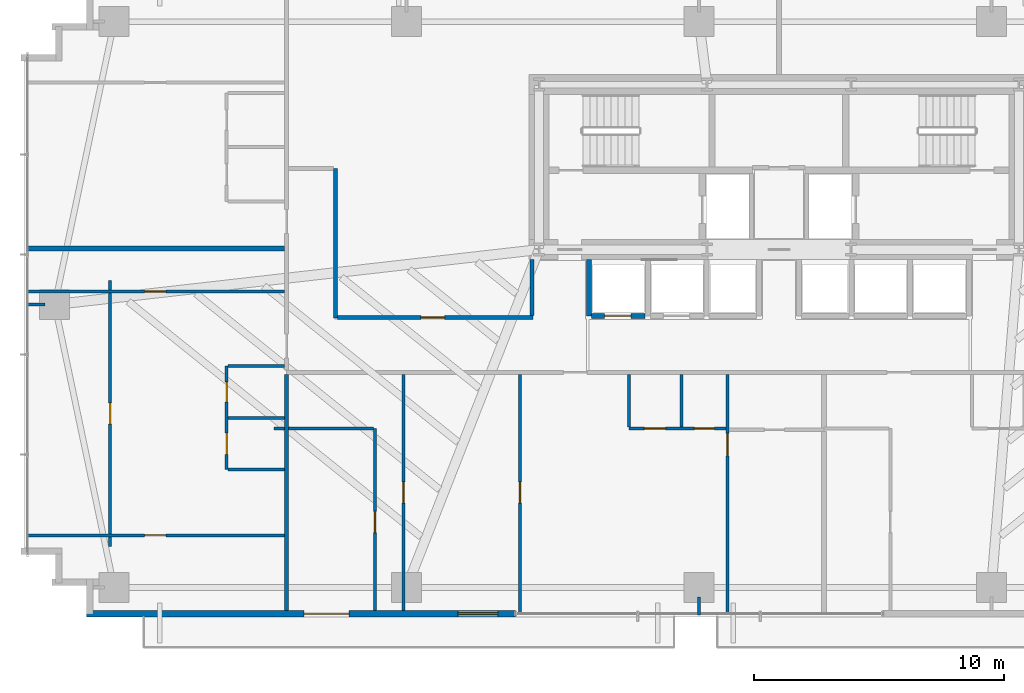
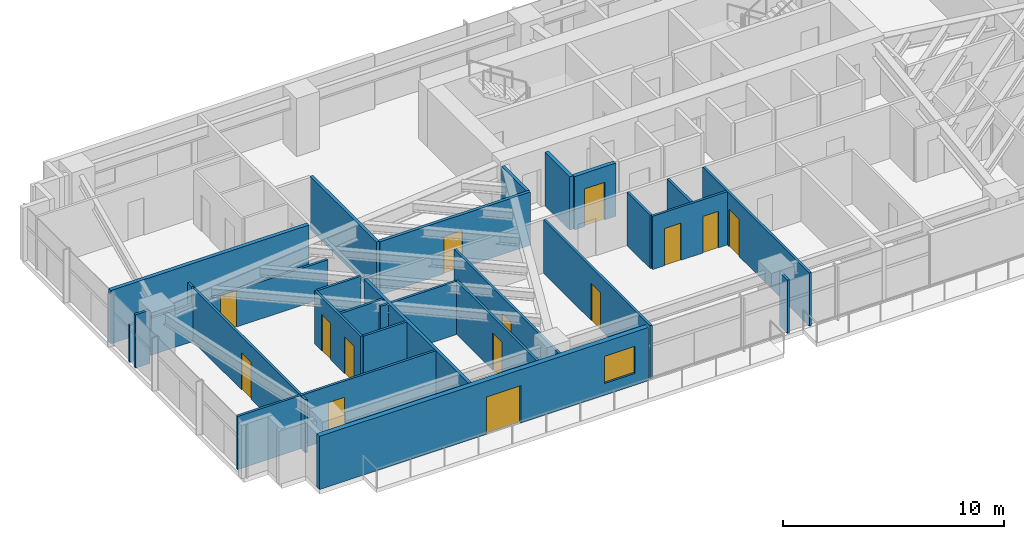
# One storey, part 19 of 25: 28 walls, 14 doors, 1 window, 15 openings.
"""IFC4 building model written with IfcOpenShell, lengths in metres."""

from ifc_helpers import new_model, si_unit, direction, frame, frame_2d, origin, place, context, subcontext, project, spatial, rectangle, extrude, source, transform, mapped, material, layer, layer_set, type_object, type_shapes, element, fill, save


model = new_model("IFC4")

# Units and contexts
model_context = context("Model", 3, precision=1e-05, world=origin(), true_north=direction((0.0, 1.0)))
body_context = subcontext(model_context, "Body", "Model", "MODEL_VIEW")
ifc_project = project(units=[si_unit("LENGTHUNIT", "METRE"), si_unit("AREAUNIT", "SQUARE_METRE"), si_unit("VOLUMEUNIT", "CUBIC_METRE"), si_unit("PLANEANGLEUNIT", "RADIAN"), si_unit("MASSUNIT", "GRAM", prefix="KILO")], contexts=[model_context])

# Site, building, storey
site_placement = place(None, origin())
site = spatial("IfcSite", under=ifc_project, at=site_placement, CompositionType="ELEMENT")
building_placement = place(site_placement, origin())
building = spatial("IfcBuilding", under=site, at=building_placement, Name="Astriad Promenade Condominiums", CompositionType="ELEMENT")
storey_placement = place(building_placement, frame((0.0, 0.0, 39.0)))
storey = spatial("IfcBuildingStorey", under=building, at=storey_placement, Name="L10", CompositionType="ELEMENT", Elevation=39.0)

# Walls
ifc_material_1 = material(Name="Fire-Rated Gypsum Partition")
ifc_layer_1 = layer(ifc_material_1, 0.159912109375)
ifc_layer_set_1 = layer_set([ifc_layer_1], Name="Fire-Rated Gypsum Partition")
wall_type_1 = type_object("IfcWallType", Name="WALL-CORR-160", PredefinedType="PARTITIONING", material=ifc_layer_set_1)
wall_1_placement = place(storey_placement, frame((16.300048828125, 2.9619140625, 0.0), z_axis=(0.0, 0.0, 1.0), x_axis=(0.0, 1.0, 0.0)))
element("IfcWall", 1, at=wall_1_placement, inside=storey, type_object=wall_type_1, Name="PT-COR-W-L10", PredefinedType="PARTITIONING", context=body_context, shape_type="SweptSolid", body=[
    extrude(rectangle(XDim=9.446044921875, YDim=0.159912109375, at=frame_2d((4.72314453125, 0.0))), origin(), (0.0, 0.0, 1.0), 2.93994140625),
])
wall_2_placement = place(storey_placement, frame((18.25, 14.659912109375, 0.0), z_axis=(0.0, 0.0, 1.0), x_axis=(0.0, 1.0, 0.0)))
element("IfcWall", 2, at=wall_2_placement, inside=storey, type_object=wall_type_1, Name="PT-WALC-E-L10", PredefinedType="PARTITIONING", context=body_context, shape_type="SweptSolid", body=[
    extrude(rectangle(XDim=5.989990234375, YDim=0.159912109375, at=frame_2d((2.9951171875, 0.0))), origin(), (0.0, 0.0, 1.0), 2.93994140625),
])

# Wall, opening, door
wall_3_placement = place(storey_placement, frame((18.33203125, 14.679931640625, 0.0), z_axis=(0.0, 0.0, 1.0), x_axis=(1.0, 0.0, 0.0)))
wall_3 = element("IfcWall", 3, at=wall_3_placement, inside=storey, type_object=wall_type_1, Name="PT-FLK-NW-L10", PredefinedType="PARTITIONING", context=body_context, shape_type="SweptSolid", body=[
    extrude(rectangle(XDim=7.827880859375, YDim=0.159912109375, at=frame_2d((3.9140625, 0.0))), origin(), (0.0, 0.0, 1.0), 2.93994140625),
])
opening_1_placement = place(wall_3_placement, frame((3.337890625, 0.0, 0.0)))
opening_1 = element("IfcOpeningElement", 4, at=opening_1_placement, cuts=wall_3, Name="Opening FD60-APT-095", PredefinedType="OPENING", context=body_context, shape_type="SweptSolid", body=[
    extrude(rectangle(XDim=0.949951171875, YDim=2.06005859375, at=frame_2d((0.47509765625, 1.030029296875))), frame((0.0, 0.08984375, 0.0), z_axis=(0.0, -1.0, 0.0), x_axis=(1.0, 0.0, 0.0)), (0.0, 0.0, 1.0), 0.179931640625),
])
ifc_material_2 = material(Name="Solid-Core Acoustic Timber Residence Entry Door", Category="wood")
door_type_1 = type_object("IfcDoorType", Name="FD60-APT-095", OperationType="NOTDEFINED", PredefinedType="DOOR", material=ifc_material_2)
shared_shape_1 = source(origin(), body_context, "Body", "SweptSolid", [
    extrude(rectangle(XDim=0.949951171875, YDim=2.06005859375, at=frame_2d((0.47509765625, 1.030029296875))), frame((0.0, 0.02490234375, 0.0), z_axis=(0.0, -1.0, 0.0), x_axis=(1.0, 0.0, 0.0)), (0.0, 0.0, 1.0), 0.050048828125),
])
type_shapes(door_type_1, [shared_shape_1])
door_1_placement = place(opening_1_placement, origin())
door_1 = element("IfcDoor", 5, at=door_1_placement, inside=storey, type_object=door_type_1, Name="D-NWA-L10", OperationType="SINGLE_SWING_RIGHT", OverallHeight=2.06005859375, OverallWidth=0.949951171875, PredefinedType="DOOR", context=body_context, shape_type="MappedRepresentation", body=[
    mapped(shared_shape_1, transform((0.0, 0.0, 0.0), scale=1.0)),
])
fill(opening_1, door_1)

# Walls
wall_4_placement = place(storey_placement, frame((26.1201171875, 14.761962890625, 0.0), z_axis=(0.0, 0.0, 1.0), x_axis=(0.0, 1.0, 0.0)))
element("IfcWall", 6, at=wall_4_placement, inside=storey, type_object=wall_type_1, Name="PT-WSPUR-W-L10", PredefinedType="PARTITIONING", context=body_context, shape_type="SweptSolid", body=[
    extrude(rectangle(XDim=2.236083984375, YDim=0.159912109375, at=frame_2d((1.1181640625, 0.0))), origin(), (0.0, 0.0, 1.0), 2.93994140625),
])
ifc_material_3 = material(Name="Acoustic Double-Stud Gypsum Partition")
ifc_layer_2 = layer(ifc_material_3, 0.199951171875)
ifc_layer_set_2 = layer_set([ifc_layer_2], Name="Acoustic Double-Stud Gypsum Partition")
wall_type_2 = type_object("IfcWallType", Name="WALL-DEMISING-200", PredefinedType="PARTITIONING", material=ifc_layer_set_2)
wall_5_placement = place(storey_placement, frame((5.8798828125, 17.449951171875, 0.0), z_axis=(0.0, 0.0, 1.0), x_axis=(1.0, 0.0, 0.0)))
element("IfcWall", 7, at=wall_5_placement, inside=storey, type_object=wall_type_2, Name="PT-DEM-WW-L10", PredefinedType="PARTITIONING", context=body_context, shape_type="SweptSolid", body=[
    extrude(rectangle(XDim=10.338134765625, YDim=0.199951171875, at=frame_2d((5.1689453125, 0.0))), origin(), (0.0, 0.0, 1.0), 2.93994140625),
])

# Wall, openings, door, window
ifc_material_4 = material(Name="Precast concrete C50/60", Category="concrete")
ifc_layer_3 = layer(ifc_material_4, 0.260009765625)
ifc_layer_set_3 = layer_set([ifc_layer_3], Name="Precast concrete C50/60")
wall_type_3 = type_object("IfcWallType", Name="WALL-EXT-TWR-260", PredefinedType="STANDARD", material=ifc_layer_set_3)
wall_6_placement = place(storey_placement, frame((25.449951171875, 2.830078125, 0.0), z_axis=(0.0, 0.0, 1.0), x_axis=(-1.0, 0.0, 0.0)))
wall_6 = element("IfcWall", 8, at=wall_6_placement, inside=storey, type_object=wall_type_3, Name="W-EXT-L10-S2", PredefinedType="STANDARD", context=body_context, shape_type="SweptSolid", body=[
    extrude(rectangle(XDim=17.14990234375, YDim=0.260009765625, at=frame_2d((8.574951171875, 0.0))), origin(), (0.0, 0.0, 1.0), 2.93994140625),
])
opening_2_placement = place(wall_6_placement, frame((6.64990234375, 0.0, 0.0)))
opening_2 = element("IfcOpeningElement", 9, at=opening_2_placement, cuts=wall_6, Name="Opening BD-1822-SLD", PredefinedType="OPENING", context=body_context, shape_type="SweptSolid", body=[
    extrude(rectangle(XDim=1.800048828125, YDim=2.06005859375, at=frame_2d((0.89990234375, 1.030029296875))), frame((0.0, 0.139892578125, 0.0), z_axis=(0.0, -1.0, 0.0), x_axis=(1.0, 0.0, 0.0)), (0.0, 0.0, 1.0), 0.280029296875),
])
opening_3_placement = place(wall_6_placement, frame((0.699951171875, 0.0, 0.64990234375)))
opening_3 = element("IfcOpeningElement", 10, at=opening_3_placement, cuts=wall_6, Name="Opening WIN-TWR-1620", PredefinedType="OPENING", context=body_context, shape_type="SweptSolid", body=[
    extrude(rectangle(XDim=1.60009765625, YDim=1.5, at=frame_2d((0.800048828125, 0.75))), frame((0.0, 0.139892578125, 0.0), z_axis=(0.0, -1.0, 0.0), x_axis=(1.0, 0.0, 0.0)), (0.0, 0.0, 1.0), 0.280029296875),
])
ifc_material_5 = material(Name="Thermally Broken Aluminium Sliding Balcony Door", Category="aluminium")
door_type_2 = type_object("IfcDoorType", Name="BD-1822-SLD", OperationType="NOTDEFINED", PredefinedType="DOOR", material=ifc_material_5)
shared_shape_2 = source(origin(), body_context, "Body", "SweptSolid", [
    extrude(rectangle(XDim=1.800048828125, YDim=2.06005859375, at=frame_2d((0.89990234375, 1.030029296875))), frame((0.0, 0.02490234375, 0.0), z_axis=(0.0, -1.0, 0.0), x_axis=(1.0, 0.0, 0.0)), (0.0, 0.0, 1.0), 0.050048828125),
])
type_shapes(door_type_2, [shared_shape_2])
door_2_placement = place(opening_2_placement, origin())
door_2 = element("IfcDoor", 11, at=door_2_placement, inside=storey, type_object=door_type_2, Name="BD-L10-SW", OperationType="SLIDING_TO_LEFT", OverallHeight=2.06005859375, OverallWidth=1.800048828125, PredefinedType="DOOR", context=body_context, shape_type="MappedRepresentation", body=[
    mapped(shared_shape_2, transform((0.0, 0.0, 0.0), scale=1.0)),
])
fill(opening_2, door_2)
ifc_material_6 = material(Name="Dark Tinted Triple-Glazed Aluminium Window", Category="aluminium")
window_type = type_object("IfcWindowType", Name="WIN-TWR-1620", PartitioningType="SINGLE_PANEL", PredefinedType="WINDOW", material=ifc_material_6)
shared_shape_3 = source(origin(), body_context, "Body", "SweptSolid", [
    extrude(rectangle(XDim=1.60009765625, YDim=1.5, at=frame_2d((0.800048828125, 0.75))), frame((0.0, 0.030029296875, 0.0), z_axis=(0.0, -1.0, 0.0), x_axis=(1.0, 0.0, 0.0)), (0.0, 0.0, 1.0), 0.06005859375),
])
type_shapes(window_type, [shared_shape_3])
window_placement = place(opening_3_placement, origin())
window = element("IfcWindow", 12, at=window_placement, inside=storey, type_object=window_type, Name="WIN-L10-SW", OverallHeight=1.5, OverallWidth=1.60009765625, PartitioningType="SINGLE_PANEL", PredefinedType="WINDOW", context=body_context, shape_type="MappedRepresentation", body=[
    mapped(shared_shape_3, transform((0.0, 0.0, 0.0), scale=1.0)),
])
fill(opening_3, window)

# Wall, opening, door
ifc_material_7 = material(Name="Acoustic Metal-Stud Gypsum Partition")
ifc_layer_4 = layer(ifc_material_7, 0.1201171875)
ifc_layer_set_4 = layer_set([ifc_layer_4], Name="Acoustic Metal-Stud Gypsum Partition")
wall_type_4 = type_object("IfcWallType", Name="WALL-PART-120", PredefinedType="PARTITIONING", material=ifc_layer_set_4)
wall_7_placement = place(storey_placement, frame((33.944091796875, 2.780029296875, 0.0), z_axis=(0.0, 0.0, 1.0), x_axis=(0.0, 1.0, 0.0)))
wall_7 = element("IfcWall", 13, at=wall_7_placement, inside=storey, type_object=wall_type_4, Name="PT-L10-S1-BD1", PredefinedType="PARTITIONING", context=body_context, shape_type="SweptSolid", body=[
    extrude(rectangle(XDim=9.6279296875, YDim=0.1201171875, at=frame_2d((4.81396484375, 0.0))), origin(), (0.0, 0.0, 1.0), 2.93994140625),
])
opening_4_placement = place(wall_7_placement, frame((6.360107421875, 0.0, 0.0)))
opening_4 = element("IfcOpeningElement", 14, at=opening_4_placement, cuts=wall_7, Name="Opening D-INT-090", PredefinedType="OPENING", context=body_context, shape_type="SweptSolid", body=[
    extrude(rectangle(XDim=0.89990234375, YDim=2.050048828125, at=frame_2d((0.449951171875, 1.02490234375))), frame((0.0, 0.070068359375, 0.0), z_axis=(0.0, -1.0, 0.0), x_axis=(1.0, 0.0, 0.0)), (0.0, 0.0, 1.0), 0.14013671875),
])
ifc_material_8 = material(Name="Painted Solid-Core Timber Bedroom Door", Category="wood")
door_type_3 = type_object("IfcDoorType", Name="D-INT-090", OperationType="NOTDEFINED", PredefinedType="DOOR", material=ifc_material_8)
shared_shape_4 = source(origin(), body_context, "Body", "SweptSolid", [
    extrude(rectangle(XDim=0.89990234375, YDim=2.050048828125, at=frame_2d((0.449951171875, 1.02490234375))), frame((0.0, 0.02490234375, 0.0), z_axis=(0.0, -1.0, 0.0), x_axis=(1.0, 0.0, 0.0)), (0.0, 0.0, 1.0), 0.050048828125),
])
type_shapes(door_type_3, [shared_shape_4])
door_3_placement = place(opening_4_placement, origin())
door_3 = element("IfcDoor", 15, at=door_3_placement, inside=storey, type_object=door_type_3, Name="D-BD1-L10-S1", OperationType="SINGLE_SWING_LEFT", OverallHeight=2.050048828125, OverallWidth=0.89990234375, PredefinedType="DOOR", context=body_context, shape_type="MappedRepresentation", body=[
    mapped(shared_shape_4, transform((0.0, 0.0, 0.0), scale=1.0)),
])
fill(opening_4, door_3)

# Wall, openings, doors
wall_8_placement = place(storey_placement, frame((29.993896484375, 10.239990234375, 0.0), z_axis=(0.0, 0.0, 1.0), x_axis=(1.0, 0.0, 0.0)))
wall_8 = element("IfcWall", 16, at=wall_8_placement, inside=storey, type_object=wall_type_4, Name="PT-L10-S1-PS", PredefinedType="PARTITIONING", context=body_context, shape_type="SweptSolid", body=[
    extrude(rectangle(XDim=3.88818359375, YDim=0.1201171875, at=frame_2d((1.944091796875, 0.0))), origin(), (0.0, 0.0, 1.0), 2.93994140625),
])
opening_5_placement = place(wall_8_placement, frame((0.625, 0.0, 0.0)))
opening_5 = element("IfcOpeningElement", 17, at=opening_5_placement, cuts=wall_8, Name="Opening D-INT-085", PredefinedType="OPENING", context=body_context, shape_type="SweptSolid", body=[
    extrude(rectangle(XDim=0.85009765625, YDim=2.050048828125, at=frame_2d((0.425048828125, 1.02490234375))), frame((0.0, 0.070068359375, 0.0), z_axis=(0.0, -1.0, 0.0), x_axis=(1.0, 0.0, 0.0)), (0.0, 0.0, 1.0), 0.14013671875),
])
opening_6_placement = place(wall_8_placement, frame((2.625, 0.0, 0.0)))
opening_6 = element("IfcOpeningElement", 18, at=opening_6_placement, cuts=wall_8, Name="Opening D-WET-080", PredefinedType="OPENING", context=body_context, shape_type="SweptSolid", body=[
    extrude(rectangle(XDim=0.800048828125, YDim=2.02001953125, at=frame_2d((0.39990234375, 1.010009765625))), frame((0.0, 0.070068359375, 0.0), z_axis=(0.0, -1.0, 0.0), x_axis=(1.0, 0.0, 0.0)), (0.0, 0.0, 1.0), 0.14013671875),
])
ifc_material_9 = material(Name="Moisture-Resistant Timber Bathroom Door", Category="wood")
door_type_4 = type_object("IfcDoorType", Name="D-WET-080", OperationType="NOTDEFINED", PredefinedType="DOOR", material=ifc_material_9)
shared_shape_5 = source(origin(), body_context, "Body", "SweptSolid", [
    extrude(rectangle(XDim=0.800048828125, YDim=2.02001953125, at=frame_2d((0.39990234375, 1.010009765625))), frame((0.0, 0.02490234375, 0.0), z_axis=(0.0, -1.0, 0.0), x_axis=(1.0, 0.0, 0.0)), (0.0, 0.0, 1.0), 0.050048828125),
])
type_shapes(door_type_4, [shared_shape_5])
door_4_placement = place(opening_6_placement, origin())
door_4 = element("IfcDoor", 19, at=door_4_placement, inside=storey, type_object=door_type_4, Name="D-BTH-L10-S1", OperationType="SINGLE_SWING_LEFT", OverallHeight=2.02001953125, OverallWidth=0.800048828125, PredefinedType="DOOR", context=body_context, shape_type="MappedRepresentation", body=[
    mapped(shared_shape_5, transform((0.0, 0.0, 0.0), scale=1.0)),
])
fill(opening_6, door_4)
ifc_material_10 = material(Name="Painted Solid-Core Timber Room Door", Category="wood")
door_type_5 = type_object("IfcDoorType", Name="D-INT-085", OperationType="NOTDEFINED", PredefinedType="DOOR", material=ifc_material_10)
shared_shape_6 = source(origin(), body_context, "Body", "SweptSolid", [
    extrude(rectangle(XDim=0.85009765625, YDim=2.050048828125, at=frame_2d((0.425048828125, 1.02490234375))), frame((0.0, 0.02490234375, 0.0), z_axis=(0.0, -1.0, 0.0), x_axis=(1.0, 0.0, 0.0)), (0.0, 0.0, 1.0), 0.050048828125),
])
type_shapes(door_type_5, [shared_shape_6])
door_5_placement = place(opening_5_placement, origin())
door_5 = element("IfcDoor", 20, at=door_5_placement, inside=storey, type_object=door_type_5, Name="D-KIT-L10-S1", OperationType="SINGLE_SWING_RIGHT", OverallHeight=2.050048828125, OverallWidth=0.85009765625, PredefinedType="DOOR", context=body_context, shape_type="MappedRepresentation", body=[
    mapped(shared_shape_6, transform((0.0, 0.0, 0.0), scale=1.0)),
])
fill(opening_5, door_5)

# Walls
for number, where, z_axis, x_axis, name in (
    (21, (32.093994140625, 10.302001953125, 0.0), (0.0, 0.0, 1.0), (0.0, 1.0, 0.0), "PT-L10-S1-PBK"),
    (22, (29.993896484375, 10.302001953125, 0.0), (0.0, 0.0, 1.0), (0.0, 1.0, 0.0), "PT-L10-S1-PKW"),
):
    element("IfcWall", number, at=place(storey_placement, frame(where, z_axis=z_axis, x_axis=x_axis)), inside=storey, type_object=wall_type_4, Name=name, PredefinedType="PARTITIONING", context=body_context, shape_type="SweptSolid", body=[
        extrude(rectangle(XDim=2.10595703125, YDim=0.1201171875, at=frame_2d((1.052978515625, 0.0))), origin(), (0.0, 0.0, 1.0), 2.93994140625),
    ])

# Wall, opening, door
wall_9_placement = place(storey_placement, frame((19.830078125, 2.9619140625, 0.0), z_axis=(0.0, 0.0, 1.0), x_axis=(0.0, 1.0, 0.0)))
wall_9 = element("IfcWall", 23, at=wall_9_placement, inside=storey, type_object=wall_type_4, Name="PT-L10-S1-EXV", PredefinedType="PARTITIONING", context=body_context, shape_type="SweptSolid", body=[
    extrude(rectangle(XDim=7.278076171875, YDim=0.1201171875, at=frame_2d((3.63916015625, 0.0))), origin(), (0.0, 0.0, 1.0), 2.93994140625),
])
opening_7_placement = place(wall_9_placement, frame((3.113037109375, 0.0, 0.0)))
opening_7 = element("IfcOpeningElement", 24, at=opening_7_placement, cuts=wall_9, Name="Opening D-INT-085", PredefinedType="OPENING", context=body_context, shape_type="SweptSolid", body=[
    extrude(rectangle(XDim=0.85009765625, YDim=2.050048828125, at=frame_2d((0.425048828125, 1.02490234375))), frame((0.0, 0.070068359375, 0.0), z_axis=(0.0, -1.0, 0.0), x_axis=(1.0, 0.0, 0.0)), (0.0, 0.0, 1.0), 0.14013671875),
])
door_6_placement = place(opening_7_placement, origin())
door_6 = element("IfcDoor", 25, at=door_6_placement, inside=storey, type_object=door_type_5, Name="D-EX-L10-S1", OperationType="SINGLE_SWING_LEFT", OverallHeight=2.050048828125, OverallWidth=0.85009765625, PredefinedType="DOOR", context=body_context, shape_type="MappedRepresentation", body=[
    mapped(shared_shape_6, transform((0.0, 0.0, 0.0), scale=1.0)),
])
fill(opening_7, door_6)

# Walls
wall_10_placement = place(storey_placement, frame((15.800048828125, 10.239990234375, 0.0), z_axis=(0.0, 0.0, 1.0), x_axis=(1.0, 0.0, 0.0)))
element("IfcWall", 26, at=wall_10_placement, inside=storey, type_object=wall_type_4, Name="PT-L10-S1-EXH", PredefinedType="PARTITIONING", context=body_context, shape_type="SweptSolid", body=[
    extrude(rectangle(XDim=0.41796875, YDim=0.1201171875, at=frame_2d((0.208984375, 0.0))), origin(), (0.0, 0.0, 1.0), 2.93994140625),
])
wall_11_placement = place(storey_placement, frame((16.382080078125, 10.239990234375, 0.0), z_axis=(0.0, 0.0, 1.0), x_axis=(1.0, 0.0, 0.0)))
element("IfcWall", 27, at=wall_11_placement, inside=storey, type_object=wall_type_4, Name="PT-L10-S1-EXH-S2", PredefinedType="PARTITIONING", context=body_context, shape_type="SweptSolid", body=[
    extrude(rectangle(XDim=3.385986328125, YDim=0.1201171875, at=frame_2d((1.69287109375, 0.0))), origin(), (0.0, 0.0, 1.0), 2.93994140625),
])

# Wall, opening, door
wall_12_placement = place(storey_placement, frame((20.97998046875, 2.9619140625, 0.0), z_axis=(0.0, 0.0, 1.0), x_axis=(0.0, 1.0, 0.0)))
wall_12 = element("IfcWall", 28, at=wall_12_placement, inside=storey, type_object=wall_type_4, Name="PT-L10-S1-CAP1", PredefinedType="PARTITIONING", context=body_context, shape_type="SweptSolid", body=[
    extrude(rectangle(XDim=9.446044921875, YDim=0.1201171875, at=frame_2d((4.72314453125, 0.0))), origin(), (0.0, 0.0, 1.0), 2.93994140625),
])
opening_8_placement = place(wall_12_placement, frame((4.2880859375, 0.0, 0.0)))
opening_8 = element("IfcOpeningElement", 29, at=opening_8_placement, cuts=wall_12, Name="Opening D-INT-085", PredefinedType="OPENING", context=body_context, shape_type="SweptSolid", body=[
    extrude(rectangle(XDim=0.85009765625, YDim=2.050048828125, at=frame_2d((0.425048828125, 1.02490234375))), frame((0.0, 0.070068359375, 0.0), z_axis=(0.0, -1.0, 0.0), x_axis=(1.0, 0.0, 0.0)), (0.0, 0.0, 1.0), 0.14013671875),
])
door_7_placement = place(opening_8_placement, origin())
door_7 = element("IfcDoor", 30, at=door_7_placement, inside=storey, type_object=door_type_5, Name="D-CAP1-L10-S1", OperationType="SINGLE_SWING_RIGHT", OverallHeight=2.050048828125, OverallWidth=0.85009765625, PredefinedType="DOOR", context=body_context, shape_type="MappedRepresentation", body=[
    mapped(shared_shape_6, transform((0.0, 0.0, 0.0), scale=1.0)),
])
fill(opening_8, door_7)

wall_13_placement = place(storey_placement, frame((25.639892578125, 2.780029296875, 0.0), z_axis=(0.0, 0.0, 1.0), x_axis=(0.0, 1.0, 0.0)))
wall_13 = element("IfcWall", 31, at=wall_13_placement, inside=storey, type_object=wall_type_4, Name="PT-L10-S1-CAP2", PredefinedType="PARTITIONING", context=body_context, shape_type="SweptSolid", body=[
    extrude(rectangle(XDim=9.6279296875, YDim=0.1201171875, at=frame_2d((4.81396484375, 0.0))), origin(), (0.0, 0.0, 1.0), 2.93994140625),
])
opening_9_placement = place(wall_13_placement, frame((4.469970703125, 0.0, 0.0)))
opening_9 = element("IfcOpeningElement", 32, at=opening_9_placement, cuts=wall_13, Name="Opening D-INT-085", PredefinedType="OPENING", context=body_context, shape_type="SweptSolid", body=[
    extrude(rectangle(XDim=0.85009765625, YDim=2.050048828125, at=frame_2d((0.425048828125, 1.02490234375))), frame((0.0, 0.070068359375, 0.0), z_axis=(0.0, -1.0, 0.0), x_axis=(1.0, 0.0, 0.0)), (0.0, 0.0, 1.0), 0.14013671875),
])
door_8_placement = place(opening_9_placement, origin())
door_8 = element("IfcDoor", 33, at=door_8_placement, inside=storey, type_object=door_type_5, Name="D-CAP2-L10-S1", OperationType="SINGLE_SWING_LEFT", OverallHeight=2.050048828125, OverallWidth=0.85009765625, PredefinedType="DOOR", context=body_context, shape_type="MappedRepresentation", body=[
    mapped(shared_shape_6, transform((0.0, 0.0, 0.0), scale=1.0)),
])
fill(opening_9, door_8)

# Wall, openings, doors
wall_14_placement = place(storey_placement, frame((13.89990234375, 8.590087890625, 0.0), z_axis=(0.0, 0.0, 1.0), x_axis=(0.0, 1.0, 0.0)))
wall_14 = element("IfcWall", 34, at=wall_14_placement, inside=storey, type_object=wall_type_4, Name="PT-L10-W1-PV", PredefinedType="PARTITIONING", context=body_context, shape_type="SweptSolid", body=[
    extrude(rectangle(XDim=4.14990234375, YDim=0.1201171875, at=frame_2d((2.074951171875, 0.0))), origin(), (0.0, 0.0, 1.0), 2.93994140625),
])
opening_10_placement = place(wall_14_placement, frame((0.612060546875, 0.0, 0.0)))
opening_10 = element("IfcOpeningElement", 35, at=opening_10_placement, cuts=wall_14, Name="Opening D-INT-085", PredefinedType="OPENING", context=body_context, shape_type="SweptSolid", body=[
    extrude(rectangle(XDim=0.85009765625, YDim=2.050048828125, at=frame_2d((0.425048828125, 1.02490234375))), frame((0.0, 0.070068359375, 0.0), z_axis=(0.0, -1.0, 0.0), x_axis=(1.0, 0.0, 0.0)), (0.0, 0.0, 1.0), 0.14013671875),
])
opening_11_placement = place(wall_14_placement, frame((2.712890625, 0.0, 0.0)))
opening_11 = element("IfcOpeningElement", 36, at=opening_11_placement, cuts=wall_14, Name="Opening D-WET-080", PredefinedType="OPENING", context=body_context, shape_type="SweptSolid", body=[
    extrude(rectangle(XDim=0.800048828125, YDim=2.02001953125, at=frame_2d((0.39990234375, 1.010009765625))), frame((0.0, 0.070068359375, 0.0), z_axis=(0.0, -1.0, 0.0), x_axis=(1.0, 0.0, 0.0)), (0.0, 0.0, 1.0), 0.14013671875),
])
door_9_placement = place(opening_11_placement, origin())
door_9 = element("IfcDoor", 37, at=door_9_placement, inside=storey, type_object=door_type_4, Name="D-BTH-L10-W1", OperationType="SINGLE_SWING_RIGHT", OverallHeight=2.02001953125, OverallWidth=0.800048828125, PredefinedType="DOOR", context=body_context, shape_type="MappedRepresentation", body=[
    mapped(shared_shape_5, transform((0.0, 0.0, 0.0), scale=1.0)),
])
fill(opening_11, door_9)
door_10_placement = place(opening_10_placement, origin())
door_10 = element("IfcDoor", 38, at=door_10_placement, inside=storey, type_object=door_type_5, Name="D-KIT-L10-W1", OperationType="SINGLE_SWING_LEFT", OverallHeight=2.050048828125, OverallWidth=0.85009765625, PredefinedType="DOOR", context=body_context, shape_type="MappedRepresentation", body=[
    mapped(shared_shape_6, transform((0.0, 0.0, 0.0), scale=1.0)),
])
fill(opening_10, door_10)

# Walls
for number, where, z_axis, x_axis, name in (
    (39, (13.9619140625, 10.6650390625, 0.0), (0.0, 0.0, 1.0), (1.0, 0.0, 0.0), "PT-L10-W1-PM"),
    (40, (13.9619140625, 8.590087890625, 0.0), (0.0, 0.0, 1.0), (1.0, 0.0, 0.0), "PT-L10-W1-PS"),
    (41, (13.9619140625, 12.739990234375, 0.0), (0.0, 0.0, 1.0), (1.0, 0.0, 0.0), "PT-L10-W1-PN"),
):
    element("IfcWall", number, at=place(storey_placement, frame(where, z_axis=z_axis, x_axis=x_axis)), inside=storey, type_object=wall_type_4, Name=name, PredefinedType="PARTITIONING", context=body_context, shape_type="SweptSolid", body=[
        extrude(rectangle(XDim=2.256103515625, YDim=0.1201171875, at=frame_2d((1.1279296875, 0.0))), origin(), (0.0, 0.0, 1.0), 2.93994140625),
    ])

# Wall, opening, door
wall_15_placement = place(storey_placement, frame((5.8798828125, 5.966064453125, 0.0), z_axis=(0.0, 0.0, 1.0), x_axis=(1.0, 0.0, 0.0)))
wall_15 = element("IfcWall", 42, at=wall_15_placement, inside=storey, type_object=wall_type_4, Name="PT-L10-W1-WDS1", PredefinedType="PARTITIONING", context=body_context, shape_type="SweptSolid", body=[
    extrude(rectangle(XDim=10.338134765625, YDim=0.1201171875, at=frame_2d((5.1689453125, 0.0))), origin(), (0.0, 0.0, 1.0), 2.93994140625),
])
opening_12_placement = place(wall_15_placement, frame((4.735107421875, 0.0, 0.0)))
opening_12 = element("IfcOpeningElement", 43, at=opening_12_placement, cuts=wall_15, Name="Opening D-INT-085", PredefinedType="OPENING", context=body_context, shape_type="SweptSolid", body=[
    extrude(rectangle(XDim=0.85009765625, YDim=2.050048828125, at=frame_2d((0.425048828125, 1.02490234375))), frame((0.0, 0.070068359375, 0.0), z_axis=(0.0, -1.0, 0.0), x_axis=(1.0, 0.0, 0.0)), (0.0, 0.0, 1.0), 0.14013671875),
])
door_11_placement = place(opening_12_placement, origin())
door_11 = element("IfcDoor", 44, at=door_11_placement, inside=storey, type_object=door_type_5, Name="D-WDS1-L10-W1", OperationType="SINGLE_SWING_LEFT", OverallHeight=2.050048828125, OverallWidth=0.85009765625, PredefinedType="DOOR", context=body_context, shape_type="MappedRepresentation", body=[
    mapped(shared_shape_6, transform((0.0, 0.0, 0.0), scale=1.0)),
])
fill(opening_12, door_11)

wall_16_placement = place(storey_placement, frame((5.8798828125, 15.721923828125, 0.0), z_axis=(0.0, 0.0, 1.0), x_axis=(1.0, 0.0, 0.0)))
wall_16 = element("IfcWall", 45, at=wall_16_placement, inside=storey, type_object=wall_type_4, Name="PT-L10-W1-WDN2", PredefinedType="PARTITIONING", context=body_context, shape_type="SweptSolid", body=[
    extrude(rectangle(XDim=10.338134765625, YDim=0.1201171875, at=frame_2d((5.1689453125, 0.0))), origin(), (0.0, 0.0, 1.0), 2.044921875),
])
opening_13_placement = place(wall_16_placement, frame((4.735107421875, 0.0, 0.0)))
opening_13 = element("IfcOpeningElement", 46, at=opening_13_placement, cuts=wall_16, Name="Opening D-LOW-085", PredefinedType="OPENING", context=body_context, shape_type="SweptSolid", body=[
    extrude(rectangle(XDim=0.85009765625, YDim=2.010009765625, at=frame_2d((0.425048828125, 1.0048828125))), frame((0.0, 0.070068359375, 0.0), z_axis=(0.0, -1.0, 0.0), x_axis=(1.0, 0.0, 0.0)), (0.0, 0.0, 1.0), 0.14013671875),
])
ifc_material_11 = material(Name="Painted Timber Under-Girder Room Door", Category="wood")
door_type_6 = type_object("IfcDoorType", Name="D-LOW-085", OperationType="NOTDEFINED", PredefinedType="DOOR", material=ifc_material_11)
shared_shape_7 = source(origin(), body_context, "Body", "SweptSolid", [
    extrude(rectangle(XDim=0.85009765625, YDim=2.010009765625, at=frame_2d((0.425048828125, 1.0048828125))), frame((0.0, 0.02490234375, 0.0), z_axis=(0.0, -1.0, 0.0), x_axis=(1.0, 0.0, 0.0)), (0.0, 0.0, 1.0), 0.050048828125),
])
type_shapes(door_type_6, [shared_shape_7])
door_12_placement = place(opening_13_placement, origin())
door_12 = element("IfcDoor", 47, at=door_12_placement, inside=storey, type_object=door_type_6, Name="D-WDN2-L10-W1", OperationType="SINGLE_SWING_RIGHT", OverallHeight=2.010009765625, OverallWidth=0.85009765625, PredefinedType="DOOR", context=body_context, shape_type="MappedRepresentation", body=[
    mapped(shared_shape_7, transform((0.0, 0.0, 0.0), scale=1.0)),
])
fill(opening_13, door_12)

# Wall
wall_17_placement = place(storey_placement, frame((9.237060546875, 5.52587890625, 0.0), z_axis=(0.0, 0.0, 1.0), x_axis=(0.0, 1.0, 0.0)))
element("IfcWall", 48, at=wall_17_placement, inside=storey, type_object=wall_type_4, Name="PT-L10-W1-WDV3", PredefinedType="PARTITIONING", context=body_context, shape_type="SweptSolid", body=[
    extrude(rectangle(XDim=0.378173828125, YDim=0.1201171875, at=frame_2d((0.18896484375, 0.0))), origin(), (0.0, 0.0, 1.0), 2.93994140625),
])

# Wall, opening, door
wall_18_placement = place(storey_placement, frame((9.237060546875, 6.028076171875, 0.0), z_axis=(0.0, 0.0, 1.0), x_axis=(0.0, 1.0, 0.0)))
wall_18 = element("IfcWall", 49, at=wall_18_placement, inside=storey, type_object=wall_type_4, Name="PT-L10-W1-WDV3-S2", PredefinedType="PARTITIONING", context=body_context, shape_type="SweptSolid", body=[
    extrude(rectangle(XDim=9.6318359375, YDim=0.1201171875, at=frame_2d((4.81591796875, 0.0))), origin(), (0.0, 0.0, 1.0), 2.93994140625),
])
opening_14_placement = place(wall_18_placement, frame((4.39111328125, 0.0, 0.0)))
opening_14 = element("IfcOpeningElement", 50, at=opening_14_placement, cuts=wall_18, Name="Opening D-INT-085", PredefinedType="OPENING", context=body_context, shape_type="SweptSolid", body=[
    extrude(rectangle(XDim=0.85009765625, YDim=2.050048828125, at=frame_2d((0.425048828125, 1.02490234375))), frame((0.0, 0.070068359375, 0.0), z_axis=(0.0, -1.0, 0.0), x_axis=(1.0, 0.0, 0.0)), (0.0, 0.0, 1.0), 0.14013671875),
])
door_13_placement = place(opening_14_placement, origin())
door_13 = element("IfcDoor", 51, at=door_13_placement, inside=storey, type_object=door_type_5, Name="D-WDV3-L10-W1", OperationType="SINGLE_SWING_LEFT", OverallHeight=2.050048828125, OverallWidth=0.85009765625, PredefinedType="DOOR", context=body_context, shape_type="MappedRepresentation", body=[
    mapped(shared_shape_6, transform((0.0, 0.0, 0.0), scale=1.0)),
])
fill(opening_14, door_13)

# Walls
wall_19_placement = place(storey_placement, frame((9.237060546875, 15.783935546875, 0.0), z_axis=(0.0, 0.0, 1.0), x_axis=(0.0, 1.0, 0.0)))
element("IfcWall", 52, at=wall_19_placement, inside=storey, type_object=wall_type_4, Name="PT-L10-W1-WDV3-S3", PredefinedType="PARTITIONING", context=body_context, shape_type="SweptSolid", body=[
    extrude(rectangle(XDim=0.378173828125, YDim=0.1201171875, at=frame_2d((0.18896484375, 0.0))), origin(), (0.0, 0.0, 1.0), 2.93994140625),
])
wall_20_placement = place(storey_placement, frame((32.800048828125, 3.5, 0.0), z_axis=(0.0, 0.0, 1.0), x_axis=(0.0, -1.0, 0.0)))
element("IfcWall", 53, at=wall_20_placement, inside=storey, type_object=wall_type_4, Name="PT-PIL-L10-PC03-10", PredefinedType="PARTITIONING", context=body_context, shape_type="SweptSolid", body=[
    extrude(rectangle(XDim=0.719970703125, YDim=0.1201171875, at=frame_2d((0.35986328125, 0.0))), origin(), (0.0, 0.0, 1.0), 2.93994140625),
])
wall_21_placement = place(storey_placement, frame((6.639892578125, 15.199951171875, 0.0), z_axis=(0.0, 0.0, 1.0), x_axis=(-1.0, 0.0, 0.0)))
element("IfcWall", 54, at=wall_21_placement, inside=storey, type_object=wall_type_4, Name="PT-PIL-L10-PC11-18", PredefinedType="PARTITIONING", context=body_context, shape_type="SweptSolid", body=[
    extrude(rectangle(XDim=0.760009765625, YDim=0.1201171875, at=frame_2d((0.3798828125, 0.0))), origin(), (0.0, 0.0, 1.0), 2.93994140625),
])
ifc_material_12 = material(Name="Gypsum Shaftliner Assembly")
ifc_layer_5 = layer(ifc_material_12, 0.199951171875)
ifc_layer_set_5 = layer_set([ifc_layer_5], Name="Gypsum Shaftliner Assembly")
wall_type_5 = type_object("IfcWallType", Name="WALL-SHAFT-200", PredefinedType="PARTITIONING", material=ifc_layer_set_5)
wall_22_placement = place(storey_placement, frame((28.39990234375, 14.75, 0.0), z_axis=(0.0, 0.0, 1.0), x_axis=(0.0, 1.0, 0.0)))
element("IfcWall", 55, at=wall_22_placement, inside=storey, type_object=wall_type_5, Name="PL-W-OUT-L10", PredefinedType="PARTITIONING", context=body_context, shape_type="SweptSolid", body=[
    extrude(rectangle(XDim=2.248046875, YDim=0.199951171875, at=frame_2d((1.1240234375, 0.0))), origin(), (0.0, 0.0, 1.0), 2.93994140625),
])

# Wall, opening, door
wall_23_placement = place(storey_placement, frame((28.501953125, 14.75, 0.0), z_axis=(0.0, 0.0, 1.0), x_axis=(1.0, 0.0, 0.0)))
wall_23 = element("IfcWall", 56, at=wall_23_placement, inside=storey, type_object=wall_type_5, Name="PL-L-FRT-L10", PredefinedType="PARTITIONING", context=body_context, shape_type="SweptSolid", body=[
    extrude(rectangle(XDim=2.14599609375, YDim=0.199951171875, at=frame_2d((1.072998046875, 0.0))), origin(), (0.0, 0.0, 1.0), 2.93994140625),
])
opening_15_placement = place(wall_23_placement, frame((0.52294921875, 0.0, 0.0)))
opening_15 = element("IfcOpeningElement", 57, at=opening_15_placement, cuts=wall_23, Name="Opening LD-PL-10522", PredefinedType="OPENING", context=body_context, shape_type="SweptSolid", body=[
    extrude(rectangle(XDim=1.050048828125, YDim=2.080078125, at=frame_2d((0.52490234375, 1.0400390625))), frame((0.0, 0.10986328125, 0.0), z_axis=(0.0, -1.0, 0.0), x_axis=(1.0, 0.0, 0.0)), (0.0, 0.0, 1.0), 0.219970703125),
])
ifc_material_13 = material(Name="Brushed Bronze Passenger Elevator Landing Door")
door_type_7 = type_object("IfcDoorType", Name="LD-PL-10522", OperationType="NOTDEFINED", PredefinedType="DOOR", material=ifc_material_13)
shared_shape_8 = source(origin(), body_context, "Body", "SweptSolid", [
    extrude(rectangle(XDim=1.050048828125, YDim=2.080078125, at=frame_2d((0.52490234375, 1.0400390625))), frame((0.0, 0.02490234375, 0.0), z_axis=(0.0, -1.0, 0.0), x_axis=(1.0, 0.0, 0.0)), (0.0, 0.0, 1.0), 0.050048828125),
])
type_shapes(door_type_7, [shared_shape_8])
door_14_placement = place(opening_15_placement, origin())
door_14 = element("IfcDoor", 58, at=door_14_placement, inside=storey, type_object=door_type_7, Name="Elevator Landing Door PL-L1 (L10)", OperationType="SLIDING_TO_LEFT", OverallHeight=2.080078125, OverallWidth=1.050048828125, PredefinedType="DOOR", context=body_context, shape_type="MappedRepresentation", body=[
    mapped(shared_shape_8, transform((0.0, 0.0, 0.0), scale=1.0)),
])
fill(opening_15, door_14)

save(model, "model.ifc")
